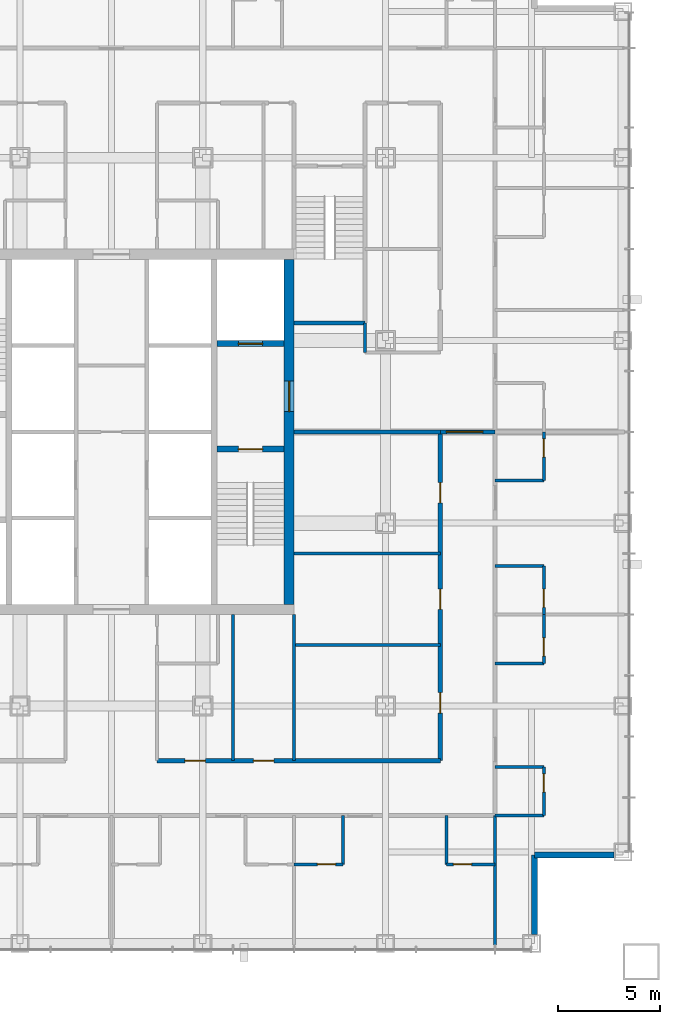
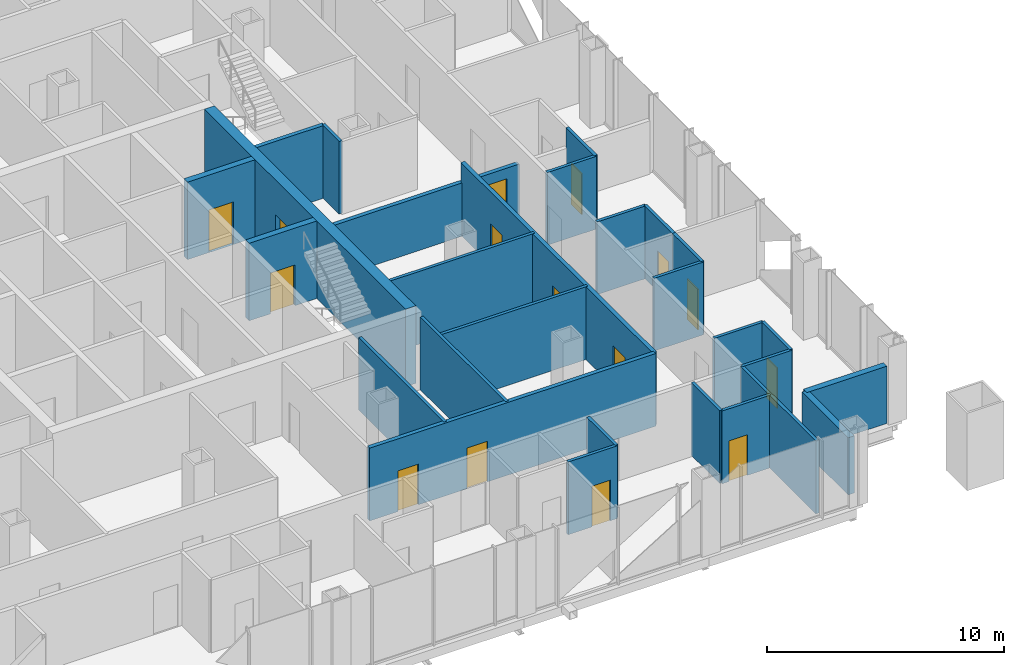
# One storey, part 9 of 17: 29 walls, 15 doors, 15 openings.
"""IFC4 building model written with IfcOpenShell, lengths in metres."""

import ifcopenshell
import ifcopenshell.guid

model = None  # the IFC model being written
_history = None  # IfcOwnerHistory: only IFC2X3 demands one
_inside = {}  # id of a spatial element -> (the spatial element, [elements in it])
_under = {}  # id of a project, library or spatial element -> (it, [spatial elements below it])
_declared = {}  # id of a project -> (the project, [libraries it declares])
_typed = {}  # id of a type object -> (the type object, [elements of that type])
_made_of = {}  # id of a material, layer set ... -> (it, [elements and type objects made of it])


def new_model(schema):
    """Start an empty IFC model of exactly this schema.

    Asked for "IFC4X3", IfcOpenShell would pick the latest addendum, in which some entities
    have other attributes; the version numbers below select the first issue.
    IFC2X3 requires an IfcOwnerHistory on every rooted entity: one is made here for all.
    """
    global model, _history
    if schema == "IFC4X3":
        model = ifcopenshell.file(schema_version=(4, 3, 0, 0))
    else:
        model = ifcopenshell.file(schema=schema)
    _inside.clear()
    _under.clear()
    _declared.clear()
    _typed.clear()
    _made_of.clear()
    _history = None
    if model.schema == "IFC2X3":
        org = make("IfcOrganization", Name="unknown")
        user = make(
            "IfcPersonAndOrganization",
            ThePerson=make("IfcPerson", FamilyName="unknown"),
            TheOrganization=org,
        )
        app = make(
            "IfcApplication",
            ApplicationDeveloper=org,
            Version="unknown",
            ApplicationFullName="unknown",
            ApplicationIdentifier="unknown",
        )
        _history = make(
            "IfcOwnerHistory",
            OwningUser=user,
            OwningApplication=app,
            ChangeAction="ADDED",
            CreationDate=0,
        )
    return model


def make(cls, **values):
    """One entity of the class cls with the attributes given. An attribute that is None is left unset."""
    return model.create_entity(
        cls, **{name: value for name, value in values.items() if value is not None}
    )


def rooted(cls, **values):
    """An entity with a GlobalId (a new one), such as an element, a storey or a relation."""
    return make(cls, GlobalId=ifcopenshell.guid.new(), OwnerHistory=_history, **values)


def si_unit(unit_type, name, prefix=None):
    """IfcSIUnit, for example si_unit("LENGTHUNIT", "METRE", prefix="MILLI")."""
    return make("IfcSIUnit", UnitType=unit_type, Prefix=prefix, Name=name)


def assignment(units):
    """IfcUnitAssignment: the units of a project."""
    return None if units is None else make("IfcUnitAssignment", Units=units)


def point(xyz):
    """IfcCartesianPoint."""
    return None if xyz is None else make("IfcCartesianPoint", Coordinates=xyz)


def direction(xyz):
    """IfcDirection."""
    return None if xyz is None else make("IfcDirection", DirectionRatios=xyz)


def frame(location, z_axis=None, x_axis=None):
    """IfcAxis2Placement3D, a coordinate frame: its origin and axes. An axis left out is left unset."""
    return make(
        "IfcAxis2Placement3D",
        Location=point(location),
        Axis=direction(z_axis),
        RefDirection=direction(x_axis),
    )


def frame_2d(location, x_axis=None):
    """IfcAxis2Placement2D, a coordinate frame in the plane: its origin and x axis."""
    return make(
        "IfcAxis2Placement2D", Location=point(location), RefDirection=direction(x_axis)
    )


def origin():
    """The frame at (0, 0, 0) with its axes left unset."""
    return frame((0.0, 0.0, 0.0))


def place(relative_to, where):
    """IfcLocalPlacement: puts the frame where relative to a parent placement (None: the world)."""
    return make(
        "IfcLocalPlacement", PlacementRelTo=relative_to, RelativePlacement=where
    )


def context(
    kind, dimensions, precision=None, world=None, true_north=None, identifier=None
):
    """IfcGeometricRepresentationContext, for example the 3D "Model" context."""
    return make(
        "IfcGeometricRepresentationContext",
        ContextIdentifier=identifier,
        ContextType=kind,
        CoordinateSpaceDimension=dimensions,
        Precision=precision,
        WorldCoordinateSystem=world,
        TrueNorth=true_north,
    )


def subcontext(parent, identifier, kind, view, scale=None):
    """IfcGeometricRepresentationSubContext, for example "Body" below "Model"."""
    return make(
        "IfcGeometricRepresentationSubContext",
        ContextIdentifier=identifier,
        ContextType=kind,
        ParentContext=parent,
        TargetScale=scale,
        TargetView=view,
    )


def project(units=None, contexts=None):
    """IfcProject with its units and contexts."""
    return rooted(
        "IfcProject",
        Name="project",
        RepresentationContexts=contexts,
        UnitsInContext=assignment(units),
    )


def spatial(cls, under=None, at=None, **own):
    """A site, building, storey or space (cls), placed at a placement, below another one or the project."""
    s = rooted(cls, ObjectPlacement=at, **own)
    if under is not None:
        _under.setdefault(under.id(), (under, []))[1].append(s)
    return s


def profile(cls, at=None, kind="AREA", **sizes):
    """A parametric profile (cls). Its sizes go by their IFC names, for example OverallWidth=200.0."""
    return make(cls, ProfileType=kind, Position=at, **sizes)


def rectangle(**sizes):
    """IfcRectangleProfileDef."""
    return profile("IfcRectangleProfileDef", **sizes)


def extrude(swept, where, along, depth):
    """IfcExtrudedAreaSolid: the profile swept, set in the frame where, extruded along a direction by depth."""
    return make(
        "IfcExtrudedAreaSolid",
        SweptArea=swept,
        Position=where,
        ExtrudedDirection=direction(along),
        Depth=depth,
    )


def shape(context_of_items, identifier, shape_type, items):
    """IfcShapeRepresentation: the items that make up one representation, for example the "Body"."""
    return make(
        "IfcShapeRepresentation",
        ContextOfItems=context_of_items,
        RepresentationIdentifier=identifier,
        RepresentationType=shape_type,
        Items=items,
    )


def material(Name=None, Category=None):
    """IfcMaterial."""
    return make("IfcMaterial", Name=Name, Category=Category)


def layer(
    of_material, thickness, ventilated=None, Name=None, Category=None, Priority=None
):
    """IfcMaterialLayer: one layer of a wall or slab, of a material (None: an air gap)."""
    return make(
        "IfcMaterialLayer",
        Material=of_material,
        LayerThickness=thickness,
        IsVentilated=ventilated,
        Name=Name,
        Category=Category,
        Priority=Priority,
    )


def layer_set(layers, Name=None):
    """IfcMaterialLayerSet."""
    return make("IfcMaterialLayerSet", MaterialLayers=layers, LayerSetName=Name)


def made_of(thing, what):
    """Note that an element or type object is made of a material, layer set ...; save() writes the relation."""
    if what is not None:
        _made_of.setdefault(what.id(), (what, []))[1].append(thing)
    return thing


def type_object(cls, material=None, **own):
    """A type object (cls), such as IfcWallType, which elements share."""
    return made_of(rooted(cls, **own), material)


def element(
    cls,
    number,
    at=None,
    inside=None,
    cuts=None,
    type_object=None,
    material=None,
    context=None,
    identifier="Body",
    shape_type=None,
    held_by="IfcProductDefinitionShape",
    body=None,
    shapes=None,
    **own,
):
    """One element of the class cls, such as IfcWall. Its Tag is "e" and its number.

    at: its placement. inside: the storey or other place that contains it. cuts: it is an
    opening in that element (IfcRelVoidsElement). A single representation is given by context,
    identifier, shape_type and body (its items); several are given by shapes. held_by: the class
    of the entity that holds the representations. save() writes the other relations.
    """
    e = rooted(cls, Tag="e%d" % number, ObjectPlacement=at, **own)
    if body is not None:
        shapes = [shape(context, identifier, shape_type, body)]
    if shapes is not None:
        e.Representation = make(held_by, Representations=shapes)
    if inside is not None:
        _inside.setdefault(inside.id(), (inside, []))[1].append(e)
    if cuts is not None:
        rooted(
            "IfcRelVoidsElement", RelatingBuildingElement=cuts, RelatedOpeningElement=e
        )
    if type_object is not None:
        _typed.setdefault(type_object.id(), (type_object, []))[1].append(e)
    return made_of(e, material)


def fill(opening, filler):
    """IfcRelFillsElement: the door or window that sits in an opening."""
    return rooted(
        "IfcRelFillsElement",
        RelatingOpeningElement=opening,
        RelatedBuildingElement=filler,
    )


def aggregate(whole, parts):
    """IfcRelAggregates: a whole, such as a stair, and the parts it consists of."""
    return rooted("IfcRelAggregates", RelatingObject=whole, RelatedObjects=parts)


def save(model, path):
    """Write the relations noted so far, then the file.

    IfcRelAggregates (storeys below a building ...), IfcRelContainedInSpatialStructure (elements
    in a storey), IfcRelDefinesByType, IfcRelAssociatesMaterial and IfcRelDeclares: one each for
    every whole, place, type object, material and project.
    """
    for whole, parts in _under.values():
        aggregate(whole, parts)
    for where, things in _inside.values():
        rooted(
            "IfcRelContainedInSpatialStructure",
            RelatedElements=things,
            RelatingStructure=where,
        )
    for kind, things in _typed.values():
        rooted("IfcRelDefinesByType", RelatedObjects=things, RelatingType=kind)
    for what, things in _made_of.values():
        rooted("IfcRelAssociatesMaterial", RelatedObjects=things, RelatingMaterial=what)
    for by, libraries in _declared.values():
        rooted("IfcRelDeclares", RelatingContext=by, RelatedDefinitions=libraries)
    model.write(path)


model = new_model("IFC4")

# Units and contexts
model_context = context("Model", 3, precision=1e-05, world=origin(), true_north=direction((0.0, 1.0)))
body_context = subcontext(model_context, "Body", "Model", "MODEL_VIEW")
ifc_project = project(units=[si_unit("LENGTHUNIT", "METRE"), si_unit("AREAUNIT", "SQUARE_METRE"), si_unit("VOLUMEUNIT", "CUBIC_METRE"), si_unit("PLANEANGLEUNIT", "RADIAN"), si_unit("MASSUNIT", "GRAM", prefix="KILO")], contexts=[model_context])

# Site, building, storey
site_placement = place(None, origin())
site = spatial("IfcSite", under=ifc_project, at=site_placement, CompositionType="ELEMENT")
building_placement = place(site_placement, origin())
building = spatial("IfcBuilding", under=site, at=building_placement, Name="Malebo Sky Hospital", CompositionType="ELEMENT")
storey_placement = place(building_placement, frame((0.0, 0.0, 83.0)))
storey = spatial("IfcBuildingStorey", under=building, at=storey_placement, Name="L19", CompositionType="ELEMENT", Elevation=83.0)

# Wall, opening, door
ifc_material_1 = material(Name="Concrete C80/95", Category="concrete")
ifc_layer_1 = layer(ifc_material_1, 0.300048828125)
ifc_layer_set_1 = layer_set([ifc_layer_1], Name="CORE INNER WALL 300")
wall_type_1 = type_object("IfcWallType", Name="CORE INNER WALL 300", PredefinedType="SHEAR", material=ifc_layer_set_1)
wall_1_placement = place(storey_placement, frame((65.199951171875, 61.14990234375, 0.0), z_axis=(0.0, 0.0, 1.0), x_axis=(1.0, 0.0, 0.0)))
wall_1 = element("IfcWall", 1, at=wall_1_placement, inside=storey, type_object=wall_type_1, Name="Core wall E1 L19", PredefinedType="SHEAR", context=body_context, shape_type="SweptSolid", body=[
    extrude(rectangle(XDim=3.300048828125, YDim=0.300048828125, at=frame_2d((1.64990234375, 0.0))), origin(), (0.0, 0.0, 1.0), 4.0),
])
opening_1_placement = place(wall_1_placement, frame((1.050048828125, 0.0, 0.0)))
opening_1 = element("IfcOpeningElement", 2, at=opening_1_placement, cuts=wall_1, Name="Opening D08", PredefinedType="OPENING", context=body_context, shape_type="SweptSolid", body=[
    extrude(rectangle(XDim=1.199951171875, YDim=2.10009765625, at=frame_2d((0.60009765625, 1.050048828125))), frame((0.0, 0.159912109375, 0.0), z_axis=(0.0, -1.0, 0.0), x_axis=(1.0, 0.0, 0.0)), (0.0, 0.0, 1.0), 0.320068359375),
])
ifc_material_2 = material(Name="Hardwood-faced door leaf in steel frame", Category="steel")
door_type_1 = type_object("IfcDoorType", Name="STAIR DOOR 1200", OperationType="SINGLE_SWING_LEFT", PredefinedType="DOOR", material=ifc_material_2)
door_1_placement = place(opening_1_placement, origin())
door_1 = element("IfcDoor", 3, at=door_1_placement, inside=storey, type_object=door_type_1, Name="Stair S2 door", OperationType="SINGLE_SWING_LEFT", OverallHeight=2.10009765625, OverallWidth=1.199951171875, PredefinedType="DOOR", context=body_context, shape_type="SweptSolid", body=[
    extrude(rectangle(XDim=1.199951171875, YDim=2.10009765625, at=frame_2d((0.60009765625, 1.050048828125))), frame((0.0, 0.02490234375, 0.0), z_axis=(0.0, -1.0, 0.0), x_axis=(1.0, 0.0, 0.0)), (0.0, 0.0, 1.0), 0.050048828125),
])
fill(opening_1, door_1)

wall_2_placement = place(storey_placement, frame((65.199951171875, 66.35009765625, 0.0), z_axis=(0.0, 0.0, 1.0), x_axis=(1.0, 0.0, 0.0)))
wall_2 = element("IfcWall", 4, at=wall_2_placement, inside=storey, type_object=wall_type_1, Name="Core wall E2 L19", PredefinedType="SHEAR", context=body_context, shape_type="SweptSolid", body=[
    extrude(rectangle(XDim=3.300048828125, YDim=0.300048828125, at=frame_2d((1.64990234375, 0.0))), origin(), (0.0, 0.0, 1.0), 4.0),
])
opening_2_placement = place(wall_2_placement, frame((1.050048828125, 0.0, 0.0)))
opening_2 = element("IfcOpeningElement", 5, at=opening_2_placement, cuts=wall_2, Name="Opening LD2", PredefinedType="OPENING", context=body_context, shape_type="SweptSolid", body=[
    extrude(rectangle(XDim=1.199951171875, YDim=2.199951171875, at=frame_2d((0.60009765625, 1.10009765625))), frame((0.0, 0.159912109375, 0.0), z_axis=(0.0, -1.0, 0.0), x_axis=(1.0, 0.0, 0.0)), (0.0, 0.0, 1.0), 0.320068359375),
])
ifc_material_3 = material(Name="Stainless steel sliding landing door", Category="steel")
door_type_2 = type_object("IfcDoorType", Name="FIRE-FIGHTING LIFT LANDING DOOR 1200", OperationType="SLIDING_TO_LEFT", PredefinedType="DOOR", material=ifc_material_3)
door_2_placement = place(opening_2_placement, origin())
door_2 = element("IfcDoor", 6, at=door_2_placement, inside=storey, type_object=door_type_2, Name="Lift FL2 landing door", OperationType="SLIDING_TO_LEFT", OverallHeight=2.199951171875, OverallWidth=1.199951171875, PredefinedType="DOOR", context=body_context, shape_type="SweptSolid", body=[
    extrude(rectangle(XDim=1.199951171875, YDim=2.199951171875, at=frame_2d((0.60009765625, 1.10009765625))), frame((0.0, 0.02490234375, 0.0), z_axis=(0.0, -1.0, 0.0), x_axis=(1.0, 0.0, 0.0)), (0.0, 0.0, 1.0), 0.050048828125),
])
fill(opening_2, door_2)

ifc_layer_2 = layer(ifc_material_1, 0.5)
ifc_layer_set_2 = layer_set([ifc_layer_2], Name="CORE WALL 500")
wall_type_2 = type_object("IfcWallType", Name="CORE WALL 500", PredefinedType="SHEAR", material=ifc_layer_set_2)
wall_3_placement = place(storey_placement, frame((68.75, 53.5, 0.0), z_axis=(0.0, 0.0, 1.0), x_axis=(0.0, 1.0, 0.0)))
wall_3 = element("IfcWall", 7, at=wall_3_placement, inside=storey, type_object=wall_type_2, Name="Core wall E L19", PredefinedType="SHEAR", context=body_context, shape_type="SweptSolid", body=[
    extrude(rectangle(XDim=17.0, YDim=0.5, at=frame_2d((8.5, 0.0))), origin(), (0.0, 0.0, 1.0), 4.0),
])
opening_3_placement = place(wall_3_placement, frame((9.5, 0.0, 0.0)))
opening_3 = element("IfcOpeningElement", 8, at=opening_3_placement, cuts=wall_3, Name="Opening D07", PredefinedType="OPENING", context=body_context, shape_type="SweptSolid", body=[
    extrude(rectangle(XDim=1.5, YDim=2.199951171875, at=frame_2d((0.75, 1.10009765625))), frame((0.0, 0.260009765625, 0.0), z_axis=(0.0, -1.0, 0.0), x_axis=(1.0, 0.0, 0.0)), (0.0, 0.0, 1.0), 0.52001953125),
])
door_type_3 = type_object("IfcDoorType", Name="FIRE-FIGHTING LOBBY DOOR PAIR 1500", OperationType="DOUBLE_DOOR_SINGLE_SWING", PredefinedType="DOOR", material=ifc_material_2)
door_3_placement = place(opening_3_placement, origin())
door_3 = element("IfcDoor", 9, at=door_3_placement, inside=storey, type_object=door_type_3, Name="Fire-fighting lobby door east", OperationType="DOUBLE_DOOR_SINGLE_SWING", OverallHeight=2.199951171875, OverallWidth=1.5, PredefinedType="DOOR", context=body_context, shape_type="SweptSolid", body=[
    extrude(rectangle(XDim=1.5, YDim=2.199951171875, at=frame_2d((0.75, 1.10009765625))), frame((0.0, 0.02490234375, 0.0), z_axis=(0.0, -1.0, 0.0), x_axis=(1.0, 0.0, 0.0)), (0.0, 0.0, 1.0), 0.050048828125),
])
fill(opening_3, door_3)

# Wall, openings, doors
ifc_material_4 = material(Name="Gypsum board on steel studs", Category="steel")
ifc_layer_3 = layer(ifc_material_4, 0.199951171875)
ifc_layer_set_3 = layer_set([ifc_layer_3], Name="CORRIDOR WALL 200")
wall_type_3 = type_object("IfcWallType", Name="CORRIDOR WALL 200", PredefinedType="PARTITIONING", material=ifc_layer_set_3)
wall_4_placement = place(storey_placement, frame((76.199951171875, 45.800048828125, 0.0), z_axis=(0.0, 0.0, 1.0), x_axis=(-1.0, 0.0, 0.0)))
wall_4 = element("IfcWall", 10, at=wall_4_placement, inside=storey, type_object=wall_type_3, Name="Corridor Wall 200 SCI1", PredefinedType="PARTITIONING", context=body_context, shape_type="SweptSolid", body=[
    extrude(rectangle(XDim=13.949951171875, YDim=0.199951171875, at=frame_2d((6.97509765625, 0.0))), origin(), (0.0, 0.0, 1.0), 3.75),
])
opening_4_placement = place(wall_4_placement, frame((8.199951171875, 0.0, 0.0)))
opening_4 = element("IfcOpeningElement", 11, at=opening_4_placement, cuts=wall_4, Name="Opening D03", PredefinedType="OPENING", context=body_context, shape_type="SweptSolid", body=[
    extrude(rectangle(XDim=1.0, YDim=2.10009765625, at=frame_2d((0.5, 1.050048828125))), frame((0.0, 0.10986328125, 0.0), z_axis=(0.0, -1.0, 0.0), x_axis=(1.0, 0.0, 0.0)), (0.0, 0.0, 1.0), 0.219970703125),
])
opening_5_placement = place(wall_4_placement, frame((11.574951171875, 0.0, 0.0)))
opening_5 = element("IfcOpeningElement", 12, at=opening_5_placement, cuts=wall_4, Name="Opening D03", PredefinedType="OPENING", context=body_context, shape_type="SweptSolid", body=[
    extrude(rectangle(XDim=1.0, YDim=2.10009765625, at=frame_2d((0.5, 1.050048828125))), frame((0.0, 0.10986328125, 0.0), z_axis=(0.0, -1.0, 0.0), x_axis=(1.0, 0.0, 0.0)), (0.0, 0.0, 1.0), 0.219970703125),
])
door_type_4 = type_object("IfcDoorType", Name="ROOM DOOR 1000", OperationType="SINGLE_SWING_LEFT", PredefinedType="DOOR", material=ifc_material_2)
door_4_placement = place(opening_4_placement, origin())
door_4 = element("IfcDoor", 13, at=door_4_placement, inside=storey, type_object=door_type_4, Name="Medication room door", OperationType="SINGLE_SWING_LEFT", OverallHeight=2.10009765625, OverallWidth=1.0, PredefinedType="DOOR", context=body_context, shape_type="SweptSolid", body=[
    extrude(rectangle(XDim=1.0, YDim=2.10009765625, at=frame_2d((0.5, 1.050048828125))), frame((0.0, 0.02490234375, 0.0), z_axis=(0.0, -1.0, 0.0), x_axis=(1.0, 0.0, 0.0)), (0.0, 0.0, 1.0), 0.050048828125),
])
fill(opening_4, door_4)
door_5_placement = place(opening_5_placement, origin())
door_5 = element("IfcDoor", 14, at=door_5_placement, inside=storey, type_object=door_type_4, Name="Assisted bathroom door", OperationType="SINGLE_SWING_LEFT", OverallHeight=2.10009765625, OverallWidth=1.0, PredefinedType="DOOR", context=body_context, shape_type="SweptSolid", body=[
    extrude(rectangle(XDim=1.0, YDim=2.10009765625, at=frame_2d((0.5, 1.050048828125))), frame((0.0, 0.02490234375, 0.0), z_axis=(0.0, -1.0, 0.0), x_axis=(1.0, 0.0, 0.0)), (0.0, 0.0, 1.0), 0.050048828125),
])
fill(opening_5, door_5)

wall_5_placement = place(storey_placement, frame((76.199951171875, 62.0, 0.0), z_axis=(0.0, 0.0, 1.0), x_axis=(0.0, -1.0, 0.0)))
wall_5 = element("IfcWall", 15, at=wall_5_placement, inside=storey, type_object=wall_type_3, Name="Corridor Wall 200 ECI2", PredefinedType="PARTITIONING", context=body_context, shape_type="SweptSolid", body=[
    extrude(rectangle(XDim=16.199951171875, YDim=0.199951171875, at=frame_2d((8.10009765625, 0.0))), origin(), (0.0, 0.0, 1.0), 3.75),
])
opening_6_placement = place(wall_5_placement, frame((2.5, 0.0, 0.0)))
opening_6 = element("IfcOpeningElement", 16, at=opening_6_placement, cuts=wall_5, Name="Opening D03", PredefinedType="OPENING", context=body_context, shape_type="SweptSolid", body=[
    extrude(rectangle(XDim=1.0, YDim=2.10009765625, at=frame_2d((0.5, 1.050048828125))), frame((0.0, 0.10986328125, 0.0), z_axis=(0.0, -1.0, 0.0), x_axis=(1.0, 0.0, 0.0)), (0.0, 0.0, 1.0), 0.219970703125),
])
opening_7_placement = place(wall_5_placement, frame((7.75, 0.0, 0.0)))
opening_7 = element("IfcOpeningElement", 17, at=opening_7_placement, cuts=wall_5, Name="Opening D03", PredefinedType="OPENING", context=body_context, shape_type="SweptSolid", body=[
    extrude(rectangle(XDim=1.0, YDim=2.10009765625, at=frame_2d((0.5, 1.050048828125))), frame((0.0, 0.10986328125, 0.0), z_axis=(0.0, -1.0, 0.0), x_axis=(1.0, 0.0, 0.0)), (0.0, 0.0, 1.0), 0.219970703125),
])
opening_8_placement = place(wall_5_placement, frame((12.85009765625, 0.0, 0.0)))
opening_8 = element("IfcOpeningElement", 18, at=opening_8_placement, cuts=wall_5, Name="Opening D03", PredefinedType="OPENING", context=body_context, shape_type="SweptSolid", body=[
    extrude(rectangle(XDim=1.0, YDim=2.10009765625, at=frame_2d((0.5, 1.050048828125))), frame((0.0, 0.10986328125, 0.0), z_axis=(0.0, -1.0, 0.0), x_axis=(1.0, 0.0, 0.0)), (0.0, 0.0, 1.0), 0.219970703125),
])
door_6_placement = place(opening_6_placement, origin())
door_6 = element("IfcDoor", 19, at=door_6_placement, inside=storey, type_object=door_type_4, Name="Treatment room door", OperationType="SINGLE_SWING_LEFT", OverallHeight=2.10009765625, OverallWidth=1.0, PredefinedType="DOOR", context=body_context, shape_type="SweptSolid", body=[
    extrude(rectangle(XDim=1.0, YDim=2.10009765625, at=frame_2d((0.5, 1.050048828125))), frame((0.0, 0.02490234375, 0.0), z_axis=(0.0, -1.0, 0.0), x_axis=(1.0, 0.0, 0.0)), (0.0, 0.0, 1.0), 0.050048828125),
])
fill(opening_6, door_6)
door_7_placement = place(opening_7_placement, origin())
door_7 = element("IfcDoor", 20, at=door_7_placement, inside=storey, type_object=door_type_4, Name="Wheelchair store door", OperationType="SINGLE_SWING_LEFT", OverallHeight=2.10009765625, OverallWidth=1.0, PredefinedType="DOOR", context=body_context, shape_type="SweptSolid", body=[
    extrude(rectangle(XDim=1.0, YDim=2.10009765625, at=frame_2d((0.5, 1.050048828125))), frame((0.0, 0.02490234375, 0.0), z_axis=(0.0, -1.0, 0.0), x_axis=(1.0, 0.0, 0.0)), (0.0, 0.0, 1.0), 0.050048828125),
])
fill(opening_7, door_7)
door_8_placement = place(opening_8_placement, origin())
door_8 = element("IfcDoor", 21, at=door_8_placement, inside=storey, type_object=door_type_4, Name="Occupational therapy kitchen door", OperationType="SINGLE_SWING_RIGHT", OverallHeight=2.10009765625, OverallWidth=1.0, PredefinedType="DOOR", context=body_context, shape_type="SweptSolid", body=[
    extrude(rectangle(XDim=1.0, YDim=2.10009765625, at=frame_2d((0.5, 1.050048828125))), frame((0.0, 0.02490234375, 0.0), z_axis=(0.0, -1.0, 0.0), x_axis=(1.0, 0.0, 0.0)), (0.0, 0.0, 1.0), 0.050048828125),
])
fill(opening_8, door_8)

# Walls
ifc_material_5 = material(Name="Anodised aluminium rainscreen on steel framing", Category="steel")
ifc_layer_4 = layer(ifc_material_5, 0.300048828125)
ifc_layer_set_4 = layer_set([ifc_layer_4], Name="NOTCH RAINSCREEN WALL 300")
wall_type_4 = type_object("IfcWallType", Name="NOTCH RAINSCREEN WALL 300", PredefinedType="ELEMENTEDWALL", material=ifc_layer_set_4)
for number, where, z_axis, x_axis, name in (
    (22, (84.75, 41.14990234375, 0.0), (0.0, 0.0, 1.0), (-1.0, 0.0, 0.0), "Notch rainscreen wall E1 L19"),
    (23, (80.85009765625, 41.14990234375, 0.0), (0.0, 0.0, 1.0), (0.0, -1.0, 0.0), "Notch rainscreen wall E2 L19"),
):
    element("IfcWall", number, at=place(storey_placement, frame(where, z_axis=z_axis, x_axis=x_axis)), inside=storey, type_object=wall_type_4, Name=name, PredefinedType="ELEMENTEDWALL", context=body_context, shape_type="SweptSolid", body=[
        extrude(rectangle(XDim=3.89990234375, YDim=0.300048828125, at=frame_2d((1.949951171875, 0.0))), origin(), (0.0, 0.0, 1.0), 2.949951171875),
    ])
ifc_layer_5 = layer(ifc_material_4, 0.14990234375)
ifc_layer_set_5 = layer_set([ifc_layer_5], Name="PARTITION 150")
wall_type_5 = type_object("IfcWallType", Name="PARTITION 150", PredefinedType="PARTITIONING", material=ifc_layer_set_5)
wall_6_placement = place(storey_placement, frame((78.89990234375, 43.10009765625, 0.0), z_axis=(0.0, 0.0, 1.0), x_axis=(0.0, -1.0, 0.0)))
element("IfcWall", 24, at=wall_6_placement, inside=storey, type_object=wall_type_5, Name="Partition 150 SP0", PredefinedType="PARTITIONING", context=body_context, shape_type="SweptSolid", body=[
    extrude(rectangle(XDim=6.375, YDim=0.14990234375, at=frame_2d((3.1875, 0.0))), origin(), (0.0, 0.0, 1.0), 3.75),
])

# Wall, opening, door
wall_7_placement = place(storey_placement, frame((71.39990234375, 40.699951171875, 0.0), z_axis=(0.0, 0.0, 1.0), x_axis=(-1.0, 0.0, 0.0)))
wall_7 = element("IfcWall", 25, at=wall_7_placement, inside=storey, type_object=wall_type_5, Name="Partition 150 SE0F", PredefinedType="PARTITIONING", context=body_context, shape_type="SweptSolid", body=[
    extrude(rectangle(XDim=2.39990234375, YDim=0.14990234375, at=frame_2d((1.199951171875, 0.0))), origin(), (0.0, 0.0, 1.0), 3.75),
])
opening_9_placement = place(wall_7_placement, frame((0.35009765625, 0.0, 0.0)))
opening_9 = element("IfcOpeningElement", 26, at=opening_9_placement, cuts=wall_7, Name="Opening D02", PredefinedType="OPENING", context=body_context, shape_type="SweptSolid", body=[
    extrude(rectangle(XDim=0.89990234375, YDim=2.10009765625, at=frame_2d((0.449951171875, 1.050048828125))), frame((0.0, 0.0849609375, 0.0), z_axis=(0.0, -1.0, 0.0), x_axis=(1.0, 0.0, 0.0)), (0.0, 0.0, 1.0), 0.169921875),
])
door_type_5 = type_object("IfcDoorType", Name="EN-SUITE DOOR 900", OperationType="SINGLE_SWING_LEFT", PredefinedType="DOOR", material=ifc_material_2)
door_9_placement = place(opening_9_placement, origin())
door_9 = element("IfcDoor", 27, at=door_9_placement, inside=storey, type_object=door_type_5, Name="En-suite door", OperationType="SINGLE_SWING_LEFT", OverallHeight=2.10009765625, OverallWidth=0.89990234375, PredefinedType="DOOR", context=body_context, shape_type="SweptSolid", body=[
    extrude(rectangle(XDim=0.89990234375, YDim=2.10009765625, at=frame_2d((0.449951171875, 1.050048828125))), frame((0.0, 0.02490234375, 0.0), z_axis=(0.0, -1.0, 0.0), x_axis=(1.0, 0.0, 0.0)), (0.0, 0.0, 1.0), 0.050048828125),
])
fill(opening_9, door_9)

# Wall
wall_8_placement = place(storey_placement, frame((71.39990234375, 43.10009765625, 0.0), z_axis=(0.0, 0.0, 1.0), x_axis=(0.0, -1.0, 0.0)))
element("IfcWall", 28, at=wall_8_placement, inside=storey, type_object=wall_type_5, Name="Partition 150 SE0S", PredefinedType="PARTITIONING", context=body_context, shape_type="SweptSolid", body=[
    extrude(rectangle(XDim=2.400146484375, YDim=0.14990234375, at=frame_2d((1.2001953125, 0.0))), origin(), (0.0, 0.0, 1.0), 3.75),
])

# Wall, opening, door
wall_9_placement = place(storey_placement, frame((78.89990234375, 40.699951171875, 0.0), z_axis=(0.0, 0.0, 1.0), x_axis=(-1.0, 0.0, 0.0)))
wall_9 = element("IfcWall", 29, at=wall_9_placement, inside=storey, type_object=wall_type_5, Name="Partition 150 SG0F", PredefinedType="PARTITIONING", context=body_context, shape_type="SweptSolid", body=[
    extrude(rectangle(XDim=2.39990234375, YDim=0.14990234375, at=frame_2d((1.199951171875, 0.0))), origin(), (0.0, 0.0, 1.0), 3.75),
])
opening_10_placement = place(wall_9_placement, frame((1.14990234375, 0.0, 0.0)))
opening_10 = element("IfcOpeningElement", 30, at=opening_10_placement, cuts=wall_9, Name="Opening D02", PredefinedType="OPENING", context=body_context, shape_type="SweptSolid", body=[
    extrude(rectangle(XDim=0.89990234375, YDim=2.10009765625, at=frame_2d((0.449951171875, 1.050048828125))), frame((0.0, 0.0849609375, 0.0), z_axis=(0.0, -1.0, 0.0), x_axis=(1.0, 0.0, 0.0)), (0.0, 0.0, 1.0), 0.169921875),
])
door_10_placement = place(opening_10_placement, origin())
door_10 = element("IfcDoor", 31, at=door_10_placement, inside=storey, type_object=door_type_5, Name="En-suite door", OperationType="SINGLE_SWING_RIGHT", OverallHeight=2.10009765625, OverallWidth=0.89990234375, PredefinedType="DOOR", context=body_context, shape_type="SweptSolid", body=[
    extrude(rectangle(XDim=0.89990234375, YDim=2.10009765625, at=frame_2d((0.449951171875, 1.050048828125))), frame((0.0, 0.02490234375, 0.0), z_axis=(0.0, -1.0, 0.0), x_axis=(1.0, 0.0, 0.0)), (0.0, 0.0, 1.0), 0.050048828125),
])
fill(opening_10, door_10)

# Walls
wall_10_placement = place(storey_placement, frame((76.5, 43.10009765625, 0.0), z_axis=(0.0, 0.0, 1.0), x_axis=(0.0, -1.0, 0.0)))
element("IfcWall", 32, at=wall_10_placement, inside=storey, type_object=wall_type_5, Name="Partition 150 SG0S", PredefinedType="PARTITIONING", context=body_context, shape_type="SweptSolid", body=[
    extrude(rectangle(XDim=2.400146484375, YDim=0.14990234375, at=frame_2d((1.2001953125, 0.0))), origin(), (0.0, 0.0, 1.0), 3.75),
])
for number, where, z_axis, x_axis, name in (
    (33, (69.0, 53.0, 0.0), (0.0, 0.0, 1.0), (0.0, -1.0, 0.0), "Partition 150 SSP0"),
    (34, (66.0, 53.0, 0.0), (0.0, 0.0, 1.0), (0.0, -1.0, 0.0), "Partition 150 SSP-6.0"),
):
    element("IfcWall", number, at=place(storey_placement, frame(where, z_axis=z_axis, x_axis=x_axis)), inside=storey, type_object=wall_type_5, Name=name, PredefinedType="PARTITIONING", context=body_context, shape_type="SweptSolid", body=[
        extrude(rectangle(XDim=7.199951171875, YDim=0.14990234375, at=frame_2d((3.60009765625, 0.0))), origin(), (0.0, 0.0, 1.0), 3.75),
    ])

# Wall, opening, door
wall_11_placement = place(storey_placement, frame((81.300048828125, 62.0, 0.0), z_axis=(0.0, 0.0, 1.0), x_axis=(0.0, -1.0, 0.0)))
wall_11 = element("IfcWall", 35, at=wall_11_placement, inside=storey, type_object=wall_type_5, Name="Partition 150 EE3F", PredefinedType="PARTITIONING", context=body_context, shape_type="SweptSolid", body=[
    extrude(rectangle(XDim=2.39990234375, YDim=0.14990234375, at=frame_2d((1.199951171875, 0.0))), origin(), (0.0, 0.0, 1.0), 3.75),
])
opening_11_placement = place(wall_11_placement, frame((0.35009765625, 0.0, 0.0)))
opening_11 = element("IfcOpeningElement", 36, at=opening_11_placement, cuts=wall_11, Name="Opening D02", PredefinedType="OPENING", context=body_context, shape_type="SweptSolid", body=[
    extrude(rectangle(XDim=0.89990234375, YDim=2.10009765625, at=frame_2d((0.449951171875, 1.050048828125))), frame((0.0, 0.0849609375, 0.0), z_axis=(0.0, -1.0, 0.0), x_axis=(1.0, 0.0, 0.0)), (0.0, 0.0, 1.0), 0.169921875),
])
door_11_placement = place(opening_11_placement, origin())
door_11 = element("IfcDoor", 37, at=door_11_placement, inside=storey, type_object=door_type_5, Name="En-suite door", OperationType="SINGLE_SWING_LEFT", OverallHeight=2.10009765625, OverallWidth=0.89990234375, PredefinedType="DOOR", context=body_context, shape_type="SweptSolid", body=[
    extrude(rectangle(XDim=0.89990234375, YDim=2.10009765625, at=frame_2d((0.449951171875, 1.050048828125))), frame((0.0, 0.02490234375, 0.0), z_axis=(0.0, -1.0, 0.0), x_axis=(1.0, 0.0, 0.0)), (0.0, 0.0, 1.0), 0.050048828125),
])
fill(opening_11, door_11)

# Wall
wall_12_placement = place(storey_placement, frame((78.89990234375, 59.60009765625, 0.0), z_axis=(0.0, 0.0, 1.0), x_axis=(1.0, 0.0, 0.0)))
element("IfcWall", 38, at=wall_12_placement, inside=storey, type_object=wall_type_5, Name="Partition 150 EE3S", PredefinedType="PARTITIONING", context=body_context, shape_type="SweptSolid", body=[
    extrude(rectangle(XDim=2.400146484375, YDim=0.14990234375, at=frame_2d((1.2001953125, 0.0))), origin(), (0.0, 0.0, 1.0), 3.75),
])

# Wall, opening, door
wall_13_placement = place(storey_placement, frame((81.300048828125, 55.39990234375, 0.0), z_axis=(0.0, 0.0, 1.0), x_axis=(0.0, -1.0, 0.0)))
wall_13 = element("IfcWall", 39, at=wall_13_placement, inside=storey, type_object=wall_type_5, Name="Partition 150 EG3F", PredefinedType="PARTITIONING", context=body_context, shape_type="SweptSolid", body=[
    extrude(rectangle(XDim=2.39990234375, YDim=0.14990234375, at=frame_2d((1.199951171875, 0.0))), origin(), (0.0, 0.0, 1.0), 3.75),
])
opening_12_placement = place(wall_13_placement, frame((1.14990234375, 0.0, 0.0)))
opening_12 = element("IfcOpeningElement", 40, at=opening_12_placement, cuts=wall_13, Name="Opening D02", PredefinedType="OPENING", context=body_context, shape_type="SweptSolid", body=[
    extrude(rectangle(XDim=0.89990234375, YDim=2.10009765625, at=frame_2d((0.449951171875, 1.050048828125))), frame((0.0, 0.0849609375, 0.0), z_axis=(0.0, -1.0, 0.0), x_axis=(1.0, 0.0, 0.0)), (0.0, 0.0, 1.0), 0.169921875),
])
door_12_placement = place(opening_12_placement, origin())
door_12 = element("IfcDoor", 41, at=door_12_placement, inside=storey, type_object=door_type_5, Name="En-suite door", OperationType="SINGLE_SWING_RIGHT", OverallHeight=2.10009765625, OverallWidth=0.89990234375, PredefinedType="DOOR", context=body_context, shape_type="SweptSolid", body=[
    extrude(rectangle(XDim=0.89990234375, YDim=2.10009765625, at=frame_2d((0.449951171875, 1.050048828125))), frame((0.0, 0.02490234375, 0.0), z_axis=(0.0, -1.0, 0.0), x_axis=(1.0, 0.0, 0.0)), (0.0, 0.0, 1.0), 0.050048828125),
])
fill(opening_12, door_12)

# Wall
wall_14_placement = place(storey_placement, frame((78.89990234375, 55.39990234375, 0.0), z_axis=(0.0, 0.0, 1.0), x_axis=(1.0, 0.0, 0.0)))
element("IfcWall", 42, at=wall_14_placement, inside=storey, type_object=wall_type_5, Name="Partition 150 EG3S", PredefinedType="PARTITIONING", context=body_context, shape_type="SweptSolid", body=[
    extrude(rectangle(XDim=2.400146484375, YDim=0.14990234375, at=frame_2d((1.2001953125, 0.0))), origin(), (0.0, 0.0, 1.0), 3.75),
])

# Wall, opening, door
wall_15_placement = place(storey_placement, frame((81.300048828125, 45.5, 0.0), z_axis=(0.0, 0.0, 1.0), x_axis=(0.0, -1.0, 0.0)))
wall_15 = element("IfcWall", 43, at=wall_15_placement, inside=storey, type_object=wall_type_5, Name="Partition 150 EE4F", PredefinedType="PARTITIONING", context=body_context, shape_type="SweptSolid", body=[
    extrude(rectangle(XDim=2.39990234375, YDim=0.14990234375, at=frame_2d((1.199951171875, 0.0))), origin(), (0.0, 0.0, 1.0), 3.75),
])
opening_13_placement = place(wall_15_placement, frame((0.35009765625, 0.0, 0.0)))
opening_13 = element("IfcOpeningElement", 44, at=opening_13_placement, cuts=wall_15, Name="Opening D02", PredefinedType="OPENING", context=body_context, shape_type="SweptSolid", body=[
    extrude(rectangle(XDim=0.89990234375, YDim=2.10009765625, at=frame_2d((0.449951171875, 1.050048828125))), frame((0.0, 0.0849609375, 0.0), z_axis=(0.0, -1.0, 0.0), x_axis=(1.0, 0.0, 0.0)), (0.0, 0.0, 1.0), 0.169921875),
])
door_13_placement = place(opening_13_placement, origin())
door_13 = element("IfcDoor", 45, at=door_13_placement, inside=storey, type_object=door_type_5, Name="En-suite door", OperationType="SINGLE_SWING_LEFT", OverallHeight=2.10009765625, OverallWidth=0.89990234375, PredefinedType="DOOR", context=body_context, shape_type="SweptSolid", body=[
    extrude(rectangle(XDim=0.89990234375, YDim=2.10009765625, at=frame_2d((0.449951171875, 1.050048828125))), frame((0.0, 0.02490234375, 0.0), z_axis=(0.0, -1.0, 0.0), x_axis=(1.0, 0.0, 0.0)), (0.0, 0.0, 1.0), 0.050048828125),
])
fill(opening_13, door_13)

# Wall
wall_16_placement = place(storey_placement, frame((78.89990234375, 45.5, 0.0), z_axis=(0.0, 0.0, 1.0), x_axis=(1.0, 0.0, 0.0)))
element("IfcWall", 46, at=wall_16_placement, inside=storey, type_object=wall_type_5, Name="Partition 150 EE4S", PredefinedType="PARTITIONING", context=body_context, shape_type="SweptSolid", body=[
    extrude(rectangle(XDim=2.400146484375, YDim=0.14990234375, at=frame_2d((1.2001953125, 0.0))), origin(), (0.0, 0.0, 1.0), 3.75),
])

# Wall, opening, door
wall_17_placement = place(storey_placement, frame((81.300048828125, 53.0, 0.0), z_axis=(0.0, 0.0, 1.0), x_axis=(0.0, -1.0, 0.0)))
wall_17 = element("IfcWall", 47, at=wall_17_placement, inside=storey, type_object=wall_type_5, Name="Partition 150 EG4F", PredefinedType="PARTITIONING", context=body_context, shape_type="SweptSolid", body=[
    extrude(rectangle(XDim=2.39990234375, YDim=0.14990234375, at=frame_2d((1.199951171875, 0.0))), origin(), (0.0, 0.0, 1.0), 3.75),
])
opening_14_placement = place(wall_17_placement, frame((1.14990234375, 0.0, 0.0)))
opening_14 = element("IfcOpeningElement", 48, at=opening_14_placement, cuts=wall_17, Name="Opening D02", PredefinedType="OPENING", context=body_context, shape_type="SweptSolid", body=[
    extrude(rectangle(XDim=0.89990234375, YDim=2.10009765625, at=frame_2d((0.449951171875, 1.050048828125))), frame((0.0, 0.0849609375, 0.0), z_axis=(0.0, -1.0, 0.0), x_axis=(1.0, 0.0, 0.0)), (0.0, 0.0, 1.0), 0.169921875),
])
door_14_placement = place(opening_14_placement, origin())
door_14 = element("IfcDoor", 49, at=door_14_placement, inside=storey, type_object=door_type_5, Name="En-suite door", OperationType="SINGLE_SWING_RIGHT", OverallHeight=2.10009765625, OverallWidth=0.89990234375, PredefinedType="DOOR", context=body_context, shape_type="SweptSolid", body=[
    extrude(rectangle(XDim=0.89990234375, YDim=2.10009765625, at=frame_2d((0.449951171875, 1.050048828125))), frame((0.0, 0.02490234375, 0.0), z_axis=(0.0, -1.0, 0.0), x_axis=(1.0, 0.0, 0.0)), (0.0, 0.0, 1.0), 0.050048828125),
])
fill(opening_14, door_14)

# Walls
for number, where, z_axis, x_axis, name in (
    (50, (78.89990234375, 50.60009765625, 0.0), (0.0, 0.0, 1.0), (1.0, 0.0, 0.0), "Partition 150 EG4S"),
    (51, (78.89990234375, 43.10009765625, 0.0), (0.0, 0.0, 1.0), (1.0, 0.0, 0.0), "Partition 150 EEZ"),
):
    element("IfcWall", number, at=place(storey_placement, frame(where, z_axis=z_axis, x_axis=x_axis)), inside=storey, type_object=wall_type_5, Name=name, PredefinedType="PARTITIONING", context=body_context, shape_type="SweptSolid", body=[
        extrude(rectangle(XDim=2.400146484375, YDim=0.14990234375, at=frame_2d((1.2001953125, 0.0))), origin(), (0.0, 0.0, 1.0), 3.75),
    ])
for number, where, z_axis, x_axis, name in (
    (52, (69.0, 56.0, 0.0), (0.0, 0.0, 1.0), (1.0, 0.0, 0.0), "Partition 150 ESP+6.0"),
    (53, (69.0, 51.5, 0.0), (0.0, 0.0, 1.0), (1.0, 0.0, 0.0), "Partition 150 ESP+10.5"),
):
    element("IfcWall", number, at=place(storey_placement, frame(where, z_axis=z_axis, x_axis=x_axis)), inside=storey, type_object=wall_type_5, Name=name, PredefinedType="PARTITIONING", context=body_context, shape_type="SweptSolid", body=[
        extrude(rectangle(XDim=7.199951171875, YDim=0.14990234375, at=frame_2d((3.60009765625, 0.0))), origin(), (0.0, 0.0, 1.0), 3.75),
    ])
wall_18_placement = place(storey_placement, frame((72.5, 65.89990234375, 0.0), z_axis=(0.0, 0.0, 1.0), x_axis=(0.0, 1.0, 0.0)))
element("IfcWall", 54, at=wall_18_placement, inside=storey, type_object=wall_type_5, Name="Partition 150 ST3C", PredefinedType="PARTITIONING", context=body_context, shape_type="SweptSolid", body=[
    extrude(rectangle(XDim=1.4501953125, YDim=0.14990234375, at=frame_2d((0.72509765625, 0.0))), origin(), (0.0, 0.0, 1.0), 3.75),
])
ifc_material_6 = material(Name="Concrete blockwork", Category="masonry")
ifc_layer_6 = layer(ifc_material_6, 0.199951171875)
ifc_layer_set_6 = layer_set([ifc_layer_6], Name="SMOKE BARRIER WALL 200")
wall_type_6 = type_object("IfcWallType", Name="SMOKE BARRIER WALL 200", PredefinedType="SOLIDWALL", material=ifc_layer_set_6)
wall_19_placement = place(storey_placement, frame((69.0, 62.0, 0.0), z_axis=(0.0, 0.0, 1.0), x_axis=(1.0, 0.0, 0.0)))
element("IfcWall", 55, at=wall_19_placement, inside=storey, type_object=wall_type_6, Name="Smoke Barrier Wall 200 ESPB", PredefinedType="SOLIDWALL", context=body_context, shape_type="SweptSolid", body=[
    extrude(rectangle(XDim=7.199951171875, YDim=0.199951171875, at=frame_2d((3.60009765625, 0.0))), origin(), (0.0, 0.0, 1.0), 2.75),
])

# Wall, opening, door
wall_20_placement = place(storey_placement, frame((76.199951171875, 62.0, 0.0), z_axis=(0.0, 0.0, 1.0), x_axis=(1.0, 0.0, 0.0)))
wall_20 = element("IfcWall", 56, at=wall_20_placement, inside=storey, type_object=wall_type_6, Name="Smoke Barrier Wall 200 ESB", PredefinedType="SOLIDWALL", context=body_context, shape_type="SweptSolid", body=[
    extrude(rectangle(XDim=2.699951171875, YDim=0.199951171875, at=frame_2d((1.35009765625, 0.0))), origin(), (0.0, 0.0, 1.0), 2.75),
])
opening_15_placement = place(wall_20_placement, frame((0.300048828125, 0.0, 0.0)))
opening_15 = element("IfcOpeningElement", 57, at=opening_15_placement, cuts=wall_20, Name="Opening D05", PredefinedType="OPENING", context=body_context, shape_type="SweptSolid", body=[
    extrude(rectangle(XDim=1.800048828125, YDim=2.199951171875, at=frame_2d((0.89990234375, 1.10009765625))), frame((0.0, 0.10986328125, 0.0), z_axis=(0.0, -1.0, 0.0), x_axis=(1.0, 0.0, 0.0)), (0.0, 0.0, 1.0), 0.219970703125),
])
door_type_6 = type_object("IfcDoorType", Name="SMOKE DOOR PAIR 1800", OperationType="DOUBLE_DOOR_DOUBLE_SWING", PredefinedType="DOOR", material=ifc_material_2)
door_15_placement = place(opening_15_placement, origin())
door_15 = element("IfcDoor", 58, at=door_15_placement, inside=storey, type_object=door_type_6, Name="Smoke compartment door pair", OperationType="DOUBLE_DOOR_DOUBLE_SWING", OverallHeight=2.199951171875, OverallWidth=1.800048828125, PredefinedType="DOOR", context=body_context, shape_type="SweptSolid", body=[
    extrude(rectangle(XDim=1.800048828125, YDim=2.199951171875, at=frame_2d((0.89990234375, 1.10009765625))), frame((0.0, 0.02490234375, 0.0), z_axis=(0.0, -1.0, 0.0), x_axis=(1.0, 0.0, 0.0)), (0.0, 0.0, 1.0), 0.050048828125),
])
fill(opening_15, door_15)

# Wall
ifc_material_7 = material(Name="Concrete C40/50", Category="concrete")
ifc_layer_7 = layer(ifc_material_7, 0.199951171875)
ifc_layer_set_7 = layer_set([ifc_layer_7], Name="STAIR ENCLOSURE WALL 200")
wall_type_7 = type_object("IfcWallType", Name="STAIR ENCLOSURE WALL 200", PredefinedType="SOLIDWALL", material=ifc_layer_set_7)
wall_21_placement = place(storey_placement, frame((69.0, 67.35009765625, 0.0), z_axis=(0.0, 0.0, 1.0), x_axis=(1.0, 0.0, 0.0)))
element("IfcWall", 59, at=wall_21_placement, inside=storey, type_object=wall_type_7, Name="Stair Enclosure Wall 200 ST3S", PredefinedType="SOLIDWALL", context=body_context, shape_type="SweptSolid", body=[
    extrude(rectangle(XDim=3.5, YDim=0.199951171875, at=frame_2d((1.75, 0.0))), origin(), (0.0, 0.0, 1.0), 3.75),
])

save(model, "model.ifc")
